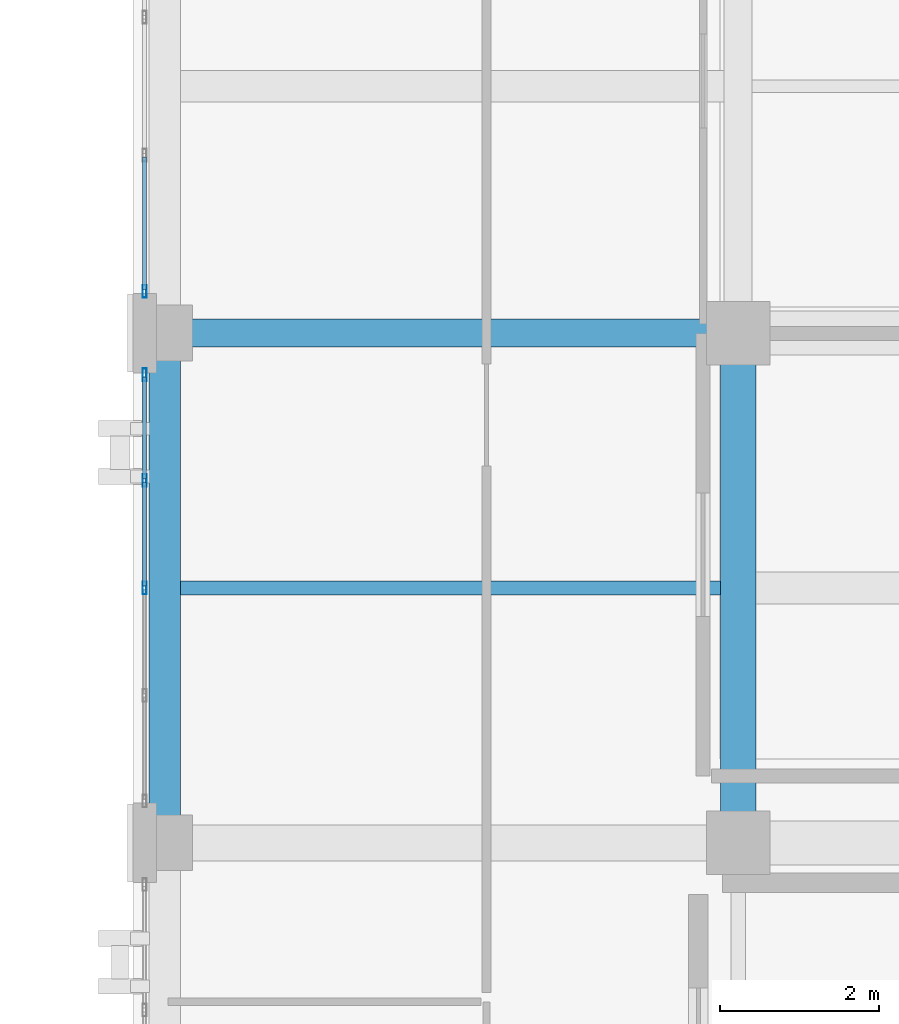
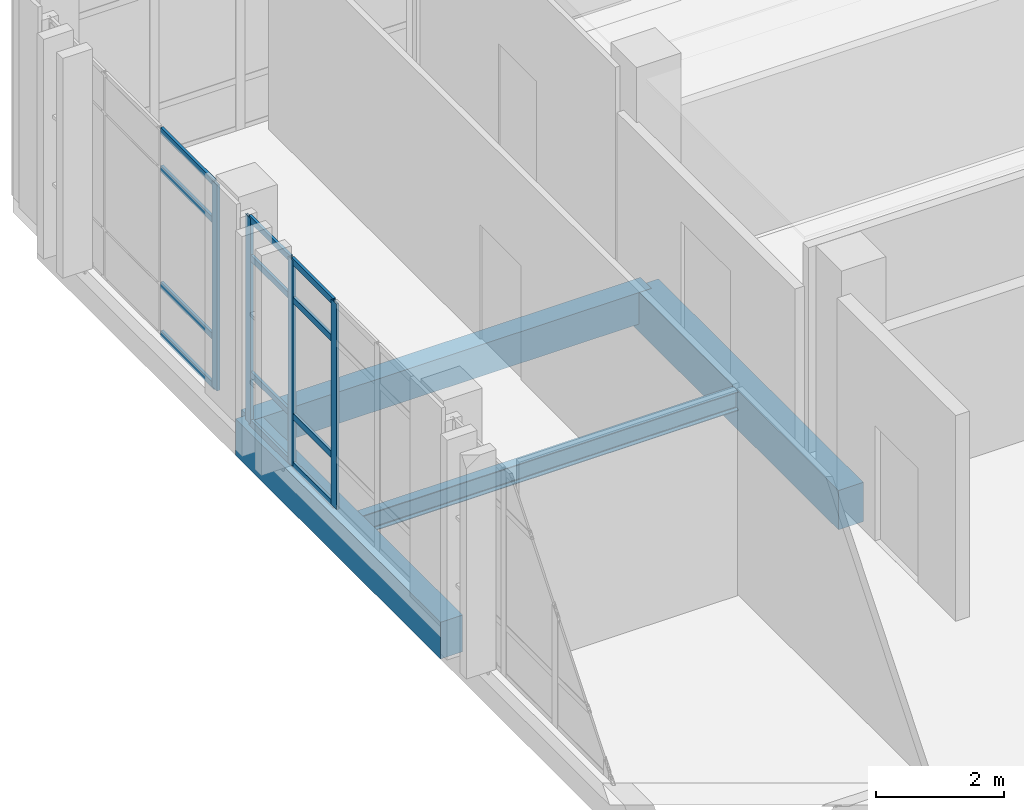
# One storey, part 99 of 165: 16 members, 4 beams, 2 elements without a shape of their own.
"""IFC4 building model written with IfcOpenShell, lengths in metres."""

from ifc_helpers import new_model, si_unit, direction, frame, origin, origin_2d, place, context, subcontext, project, spatial, rectangle, hollow_rectangle, i_section, extrude, material, layer, layer_set, material_profile, profile_set, type_object, element, aggregate, save


model = new_model("IFC4")

# Units and contexts
model_context = context("Model", 3, precision=1e-05, world=origin(), true_north=direction((0.0, 1.0)))
body_context = subcontext(model_context, "Body", "Model", "MODEL_VIEW")
ifc_project = project(units=[si_unit("LENGTHUNIT", "METRE"), si_unit("AREAUNIT", "SQUARE_METRE"), si_unit("VOLUMEUNIT", "CUBIC_METRE"), si_unit("PLANEANGLEUNIT", "RADIAN"), si_unit("MASSUNIT", "GRAM", prefix="KILO")], contexts=[model_context])

# Site, building, storey
site_placement = place(None, origin())
site = spatial("IfcSite", under=ifc_project, at=site_placement, CompositionType="ELEMENT")
building_placement = place(site_placement, origin())
building = spatial("IfcBuilding", under=site, at=building_placement, Name="Qalavern Law Courts", CompositionType="ELEMENT")
storey_placement = place(building_placement, frame((0.0, 0.0, 14.39990234375)))
storey = spatial("IfcBuildingStorey", under=building, at=storey_placement, Name="L03", CompositionType="ELEMENT", Elevation=14.39990234375)

# Curtain wall, member
ifc_material_1 = material(Name="Anodised aluminium and insulated glazing", Category="aluminium")
ifc_layer = layer(ifc_material_1, 0.172119140625)
ifc_layer_set = layer_set([ifc_layer], Name="Anodised aluminium and insulated glazing")
curtain_wall_type = type_object("IfcCurtainWallType", Name="ENV-CW-COURT", PredefinedType="USERDEFINED", material=ifc_layer_set)
curtain_wall_1_placement = place(storey_placement, origin())
curtain_wall_1 = element("IfcCurtainWall", 1, at=curtain_wall_1_placement, inside=storey, type_object=curtain_wall_type, Name="V4 unitised curtain wall L03 west 1", ObjectType="UNITISED CURTAIN WALL", PredefinedType="USERDEFINED")
ifc_material_2 = material(Name="Anodised aluminium", Category="aluminium")
ifc_material_profile_1 = material_profile(ifc_material_2, hollow_rectangle(XDim=0.048095703125, YDim=0.159912109375, WallThickness=0.00390625, at=origin_2d()), Name="ALU MULLION 48x160")
ifc_profile_set_1 = profile_set([ifc_material_profile_1], Name="Anodised aluminium")
member_type_1 = type_object("IfcMemberType", Name="ENV-CWM-48x160", PredefinedType="MULLION", material=ifc_profile_set_1)
member_1_placement = place(storey_placement, frame((84.347412109375, 79.72412109375, 0.0), z_axis=(0.0, 0.0, 1.0), x_axis=(1.0, 0.0, 0.0)))
member_1 = element("IfcMember", 2, at=member_1_placement, type_object=member_type_1, Name="CW-03 mullion 4", PredefinedType="MULLION", context=body_context, shape_type="SweptSolid", body=[
    extrude(hollow_rectangle(XDim=0.048095703125, YDim=0.159912109375, WallThickness=0.00390625, at=origin_2d()), origin(), (0.0, 0.0, 1.0), 3.920166015625),
])

# Curtain wall, members
curtain_wall_2_placement = place(storey_placement, origin())
curtain_wall_2 = element("IfcCurtainWall", 3, at=curtain_wall_2_placement, inside=storey, type_object=curtain_wall_type, Name="V4 unitised curtain wall L03 west 2", ObjectType="UNITISED CURTAIN WALL", PredefinedType="USERDEFINED")
member_2_placement = place(storey_placement, frame((84.347412109375, 78.676025390625, 0.0), z_axis=(0.0, 0.0, 1.0), x_axis=(1.0, 0.0, 0.0)))
member_2 = element("IfcMember", 4, at=member_2_placement, type_object=member_type_1, Name="CW-03 mullion 1", PredefinedType="MULLION", context=body_context, shape_type="SweptSolid", body=[
    extrude(hollow_rectangle(XDim=0.048095703125, YDim=0.159912109375, WallThickness=0.00390625, at=origin_2d()), origin(), (0.0, 0.0, 1.0), 3.920166015625),
])
member_3_placement = place(storey_placement, frame((84.347412109375, 77.35009765625, 0.0), z_axis=(0.0, 0.0, 1.0), x_axis=(1.0, 0.0, 0.0)))
member_3 = element("IfcMember", 5, at=member_3_placement, type_object=member_type_1, Name="CW-03 mullion 2", PredefinedType="MULLION", context=body_context, shape_type="SweptSolid", body=[
    extrude(hollow_rectangle(XDim=0.048095703125, YDim=0.159912109375, WallThickness=0.00390625, at=origin_2d()), origin(), (0.0, 0.0, 1.0), 3.920166015625),
])
member_4_placement = place(storey_placement, frame((84.347412109375, 76.0, 0.0), z_axis=(0.0, 0.0, 1.0), x_axis=(1.0, 0.0, 0.0)))
member_4 = element("IfcMember", 6, at=member_4_placement, type_object=member_type_1, Name="CW-03 mullion 3", PredefinedType="MULLION", context=body_context, shape_type="SweptSolid", body=[
    extrude(hollow_rectangle(XDim=0.048095703125, YDim=0.159912109375, WallThickness=0.00390625, at=origin_2d()), origin(), (0.0, 0.0, 1.0), 3.920166015625),
])

# Member
ifc_material_profile_2 = material_profile(ifc_material_2, hollow_rectangle(XDim=0.048095703125, YDim=0.1201171875, WallThickness=0.00390625, at=origin_2d()), Name="ALU TRANSOM 48x120")
ifc_profile_set_2 = profile_set([ifc_material_profile_2], Name="Anodised aluminium")
member_type_2 = type_object("IfcMemberType", Name="ENV-CWT-48x120", PredefinedType="USERDEFINED", material=ifc_profile_set_2)
member_5_placement = place(storey_placement, frame((84.347412109375, 81.409423828125, 0.024169921875), z_axis=(0.0, -1.0, 0.0), x_axis=(1.0, 0.0, 0.0)))
member_5 = element("IfcMember", 7, at=member_5_placement, type_object=member_type_2, Name="CW-03 transom 3.1", ObjectType="TRANSOM", PredefinedType="USERDEFINED", context=body_context, shape_type="SweptSolid", body=[
    extrude(hollow_rectangle(XDim=0.048095703125, YDim=0.1201171875, WallThickness=0.00390625, at=origin_2d()), origin(), (0.0, 0.0, 1.0), 1.661376953125),
])

member_6_placement = place(storey_placement, frame((84.347412109375, 81.409423828125, 0.9501953125), z_axis=(0.0, -1.0, 0.0), x_axis=(1.0, 0.0, 0.0)))
member_6 = element("IfcMember", 8, at=member_6_placement, type_object=member_type_2, Name="CW-03 transom 3.2", ObjectType="TRANSOM", PredefinedType="USERDEFINED", context=body_context, shape_type="SweptSolid", body=[
    extrude(hollow_rectangle(XDim=0.048095703125, YDim=0.1201171875, WallThickness=0.00390625, at=origin_2d()), origin(), (0.0, 0.0, 1.0), 1.661376953125),
])

member_7_placement = place(storey_placement, frame((84.347412109375, 81.409423828125, 3.170166015625), z_axis=(0.0, -1.0, 0.0), x_axis=(1.0, 0.0, 0.0)))
member_7 = element("IfcMember", 9, at=member_7_placement, type_object=member_type_2, Name="CW-03 transom 3.3", ObjectType="TRANSOM", PredefinedType="USERDEFINED", context=body_context, shape_type="SweptSolid", body=[
    extrude(hollow_rectangle(XDim=0.048095703125, YDim=0.1201171875, WallThickness=0.00390625, at=origin_2d()), origin(), (0.0, 0.0, 1.0), 1.661376953125),
])

member_8_placement = place(storey_placement, frame((84.347412109375, 81.409423828125, 3.89599609375), z_axis=(0.0, -1.0, 0.0), x_axis=(1.0, 0.0, 0.0)))
member_8 = element("IfcMember", 10, at=member_8_placement, type_object=member_type_2, Name="CW-03 transom 3.4", ObjectType="TRANSOM", PredefinedType="USERDEFINED", context=body_context, shape_type="SweptSolid", body=[
    extrude(hollow_rectangle(XDim=0.048095703125, YDim=0.1201171875, WallThickness=0.00390625, at=origin_2d()), origin(), (0.0, 0.0, 1.0), 1.661376953125),
])

aggregate(curtain_wall_1, [member_1, member_5, member_6, member_7, member_8])

member_9_placement = place(storey_placement, frame((84.347412109375, 78.652099609375, 0.024169921875), z_axis=(0.0, -1.0, 0.0), x_axis=(1.0, 0.0, 0.0)))
member_9 = element("IfcMember", 11, at=member_9_placement, type_object=member_type_2, Name="CW-03 transom 1.1", ObjectType="TRANSOM", PredefinedType="USERDEFINED", context=body_context, shape_type="SweptSolid", body=[
    extrude(hollow_rectangle(XDim=0.048095703125, YDim=0.1201171875, WallThickness=0.00390625, at=origin_2d()), origin(), (0.0, 0.0, 1.0), 1.278076171875),
])

member_10_placement = place(storey_placement, frame((84.347412109375, 78.652099609375, 0.9501953125), z_axis=(0.0, -1.0, 0.0), x_axis=(1.0, 0.0, 0.0)))
member_10 = element("IfcMember", 12, at=member_10_placement, type_object=member_type_2, Name="CW-03 transom 1.2", ObjectType="TRANSOM", PredefinedType="USERDEFINED", context=body_context, shape_type="SweptSolid", body=[
    extrude(hollow_rectangle(XDim=0.048095703125, YDim=0.1201171875, WallThickness=0.00390625, at=origin_2d()), origin(), (0.0, 0.0, 1.0), 1.278076171875),
])

member_11_placement = place(storey_placement, frame((84.347412109375, 78.652099609375, 3.170166015625), z_axis=(0.0, -1.0, 0.0), x_axis=(1.0, 0.0, 0.0)))
member_11 = element("IfcMember", 13, at=member_11_placement, type_object=member_type_2, Name="CW-03 transom 1.3", ObjectType="TRANSOM", PredefinedType="USERDEFINED", context=body_context, shape_type="SweptSolid", body=[
    extrude(hollow_rectangle(XDim=0.048095703125, YDim=0.1201171875, WallThickness=0.00390625, at=origin_2d()), origin(), (0.0, 0.0, 1.0), 1.278076171875),
])

member_12_placement = place(storey_placement, frame((84.347412109375, 78.652099609375, 3.89599609375), z_axis=(0.0, -1.0, 0.0), x_axis=(1.0, 0.0, 0.0)))
member_12 = element("IfcMember", 14, at=member_12_placement, type_object=member_type_2, Name="CW-03 transom 1.4", ObjectType="TRANSOM", PredefinedType="USERDEFINED", context=body_context, shape_type="SweptSolid", body=[
    extrude(hollow_rectangle(XDim=0.048095703125, YDim=0.1201171875, WallThickness=0.00390625, at=origin_2d()), origin(), (0.0, 0.0, 1.0), 1.278076171875),
])

member_13_placement = place(storey_placement, frame((84.347412109375, 77.325927734375, 0.024169921875), z_axis=(0.0, -1.0, 0.0), x_axis=(1.0, 0.0, 0.0)))
member_13 = element("IfcMember", 15, at=member_13_placement, type_object=member_type_2, Name="CW-03 transom 2.1", ObjectType="TRANSOM", PredefinedType="USERDEFINED", context=body_context, shape_type="SweptSolid", body=[
    extrude(hollow_rectangle(XDim=0.048095703125, YDim=0.1201171875, WallThickness=0.00390625, at=origin_2d()), origin(), (0.0, 0.0, 1.0), 1.302001953125),
])

member_14_placement = place(storey_placement, frame((84.347412109375, 77.325927734375, 0.9501953125), z_axis=(0.0, -1.0, 0.0), x_axis=(1.0, 0.0, 0.0)))
member_14 = element("IfcMember", 16, at=member_14_placement, type_object=member_type_2, Name="CW-03 transom 2.2", ObjectType="TRANSOM", PredefinedType="USERDEFINED", context=body_context, shape_type="SweptSolid", body=[
    extrude(hollow_rectangle(XDim=0.048095703125, YDim=0.1201171875, WallThickness=0.00390625, at=origin_2d()), origin(), (0.0, 0.0, 1.0), 1.302001953125),
])

member_15_placement = place(storey_placement, frame((84.347412109375, 77.325927734375, 3.170166015625), z_axis=(0.0, -1.0, 0.0), x_axis=(1.0, 0.0, 0.0)))
member_15 = element("IfcMember", 17, at=member_15_placement, type_object=member_type_2, Name="CW-03 transom 2.3", ObjectType="TRANSOM", PredefinedType="USERDEFINED", context=body_context, shape_type="SweptSolid", body=[
    extrude(hollow_rectangle(XDim=0.048095703125, YDim=0.1201171875, WallThickness=0.00390625, at=origin_2d()), origin(), (0.0, 0.0, 1.0), 1.302001953125),
])

member_16_placement = place(storey_placement, frame((84.347412109375, 77.325927734375, 3.89599609375), z_axis=(0.0, -1.0, 0.0), x_axis=(1.0, 0.0, 0.0)))
member_16 = element("IfcMember", 18, at=member_16_placement, type_object=member_type_2, Name="CW-03 transom 2.4", ObjectType="TRANSOM", PredefinedType="USERDEFINED", context=body_context, shape_type="SweptSolid", body=[
    extrude(hollow_rectangle(XDim=0.048095703125, YDim=0.1201171875, WallThickness=0.00390625, at=origin_2d()), origin(), (0.0, 0.0, 1.0), 1.302001953125),
])

aggregate(curtain_wall_2, [member_2, member_3, member_4, member_9, member_10, member_11, member_12, member_13, member_14, member_15, member_16])

# Beams
ifc_material_3 = material(Name="Concrete C35/45", Category="concrete")
ifc_material_profile_3 = material_profile(ifc_material_3, rectangle(XDim=0.35009765625, YDim=0.60009765625, at=origin_2d()), Name="RC 350x600")
ifc_profile_set_3 = profile_set([ifc_material_profile_3], Name="Concrete C35/45")
beam_type_1 = type_object("IfcBeamType", Name="STR-BM-RC350x600", PredefinedType="BEAM", material=ifc_profile_set_3)
beam_1_placement = place(storey_placement, frame((84.60009765625, 79.199951171875, -0.5849609375), z_axis=(1.0, 0.0, 0.0), x_axis=(0.0, 1.0, 0.0)))
element("IfcBeam", 19, at=beam_1_placement, inside=storey, type_object=beam_type_1, Name="V4 X-beam 6-1 L03", PredefinedType="BEAM", context=body_context, shape_type="SweptSolid", body=[
    extrude(rectangle(XDim=0.35009765625, YDim=0.60009765625, at=origin_2d()), origin(), (0.0, 0.0, 1.0), 7.199951171875),
])
ifc_material_4 = material(Name="Concrete C40/50", Category="concrete")
ifc_material_profile_4 = material_profile(ifc_material_4, rectangle(XDim=0.449951171875, YDim=0.75, at=origin_2d()), Name="RC 450x750")
ifc_profile_set_4 = profile_set([ifc_material_profile_4], Name="Concrete C40/50")
beam_type_2 = type_object("IfcBeamType", Name="STR-BM-RC450x750", PredefinedType="BEAM", material=ifc_profile_set_4)
beam_2_placement = place(storey_placement, frame((91.800048828125, 72.800048828125, -0.659912109375), z_axis=(0.0, 1.0, 0.0), x_axis=(-1.0, 0.0, 0.0)))
element("IfcBeam", 20, at=beam_2_placement, inside=storey, type_object=beam_type_2, Name="V4 Y-beam 2-4 L03", PredefinedType="BEAM", context=body_context, shape_type="SweptSolid", body=[
    extrude(rectangle(XDim=0.449951171875, YDim=0.75, at=origin_2d()), origin(), (0.0, 0.0, 1.0), 6.39990234375),
])
ifc_material_5 = material(Name="Steel S355", Category="steel")
ifc_material_profile_5 = material_profile(ifc_material_5, i_section(OverallWidth=0.169921875, OverallDepth=0.360107421875, WebThickness=0.008056640625, FlangeThickness=0.0126953125, FilletRadius=0.01806640625, at=origin_2d()), Name="IPE 360")
ifc_profile_set_5 = profile_set([ifc_material_profile_5], Name="Steel S355")
beam_type_3 = type_object("IfcBeamType", Name="STR-JST-IPE360", PredefinedType="JOIST", material=ifc_profile_set_5)
beam_3_placement = place(storey_placement, frame((84.798095703125, 76.0, -0.46484375), z_axis=(1.0, 0.0, 0.0), x_axis=(0.0, 1.0, 0.0)))
element("IfcBeam", 21, at=beam_3_placement, inside=storey, type_object=beam_type_3, Name="V4 secondary joist 1.5.1 L03", PredefinedType="JOIST", context=body_context, shape_type="SweptSolid", body=[
    extrude(i_section(OverallWidth=0.169921875, OverallDepth=0.360107421875, WebThickness=0.008056640625, FlangeThickness=0.0126953125, FilletRadius=0.01806640625, at=origin_2d()), origin(), (0.0, 0.0, 1.0), 6.77880859375),
])
ifc_material_profile_6 = material_profile(ifc_material_4, rectangle(XDim=0.39990234375, YDim=0.699951171875, at=origin_2d()), Name="RC 400x700")
ifc_profile_set_6 = profile_set([ifc_material_profile_6], Name="Concrete C40/50")
beam_type_4 = type_object("IfcBeamType", Name="STR-SP-RC400x700", PredefinedType="SPANDREL", material=ifc_profile_set_6)
beam_4_placement = place(storey_placement, frame((84.60009765625, 72.800048828125, -0.635009765625), z_axis=(0.0, 1.0, 0.0), x_axis=(-1.0, 0.0, 0.0)))
element("IfcBeam", 22, at=beam_4_placement, inside=storey, type_object=beam_type_4, Name="V4 Y-beam 1-5 L03", PredefinedType="SPANDREL", context=body_context, shape_type="SweptSolid", body=[
    extrude(rectangle(XDim=0.39990234375, YDim=0.699951171875, at=origin_2d()), origin(), (0.0, 0.0, 1.0), 6.39990234375),
])

save(model, "model.ifc")
